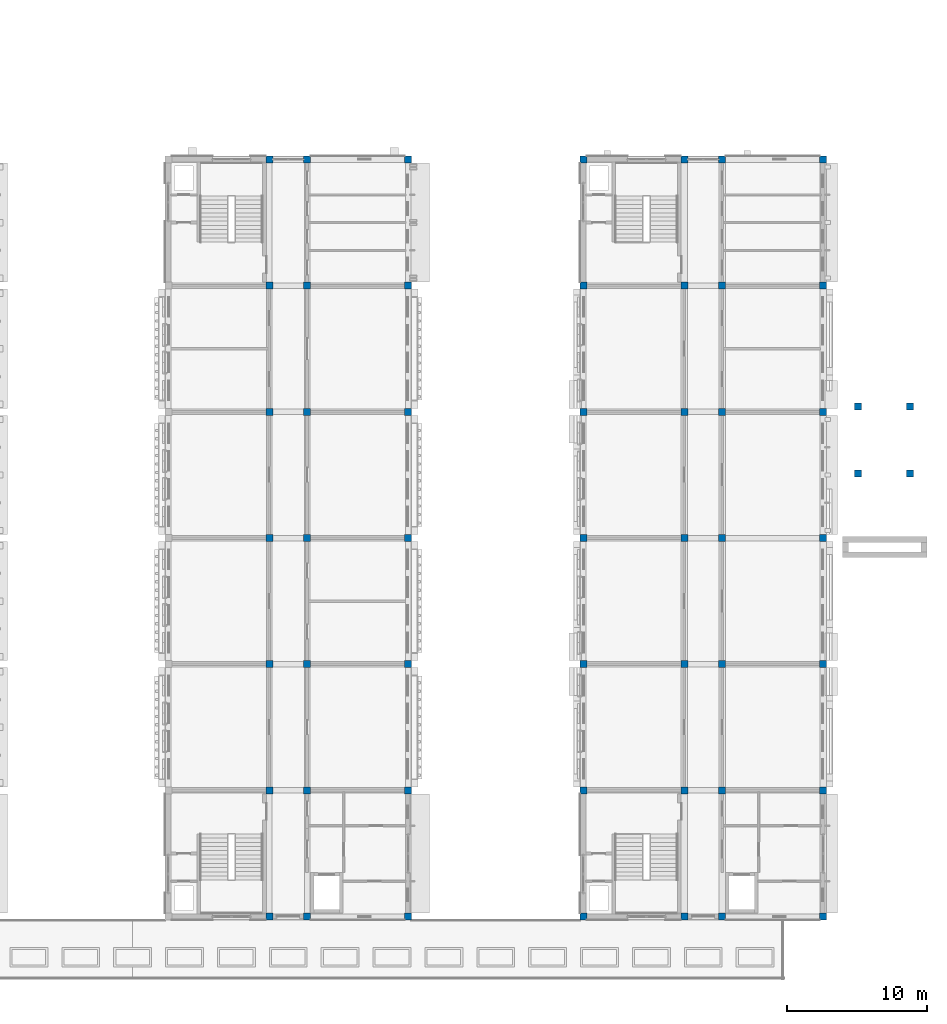
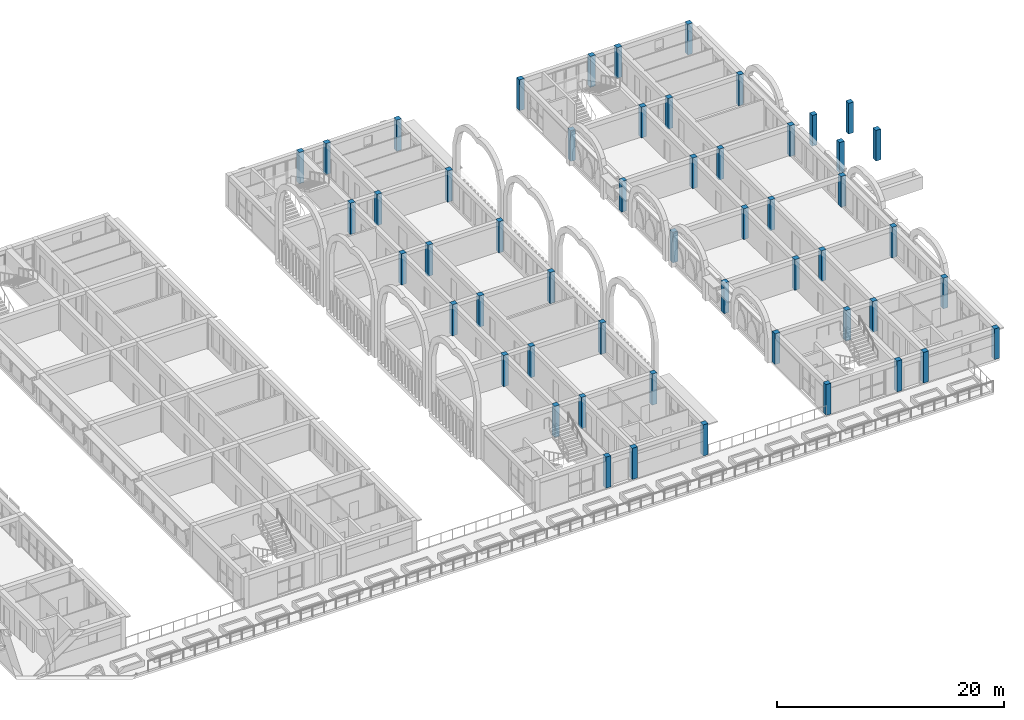
# One storey, part 6 of 82: 53 columns.
"""IFC4 building model written with IfcOpenShell, lengths in metres."""

import ifcopenshell
import ifcopenshell.guid

model = None  # the IFC model being written
_history = None  # IfcOwnerHistory: only IFC2X3 demands one
_inside = {}  # id of a spatial element -> (the spatial element, [elements in it])
_under = {}  # id of a project, library or spatial element -> (it, [spatial elements below it])
_declared = {}  # id of a project -> (the project, [libraries it declares])
_typed = {}  # id of a type object -> (the type object, [elements of that type])
_made_of = {}  # id of a material, layer set ... -> (it, [elements and type objects made of it])


def new_model(schema):
    """Start an empty IFC model of exactly this schema.

    Asked for "IFC4X3", IfcOpenShell would pick the latest addendum, in which some entities
    have other attributes; the version numbers below select the first issue.
    IFC2X3 requires an IfcOwnerHistory on every rooted entity: one is made here for all.
    """
    global model, _history
    if schema == "IFC4X3":
        model = ifcopenshell.file(schema_version=(4, 3, 0, 0))
    else:
        model = ifcopenshell.file(schema=schema)
    _inside.clear()
    _under.clear()
    _declared.clear()
    _typed.clear()
    _made_of.clear()
    _history = None
    if model.schema == "IFC2X3":
        org = make("IfcOrganization", Name="unknown")
        user = make(
            "IfcPersonAndOrganization",
            ThePerson=make("IfcPerson", FamilyName="unknown"),
            TheOrganization=org,
        )
        app = make(
            "IfcApplication",
            ApplicationDeveloper=org,
            Version="unknown",
            ApplicationFullName="unknown",
            ApplicationIdentifier="unknown",
        )
        _history = make(
            "IfcOwnerHistory",
            OwningUser=user,
            OwningApplication=app,
            ChangeAction="ADDED",
            CreationDate=0,
        )
    return model


def make(cls, **values):
    """One entity of the class cls with the attributes given. An attribute that is None is left unset."""
    return model.create_entity(
        cls, **{name: value for name, value in values.items() if value is not None}
    )


def rooted(cls, **values):
    """An entity with a GlobalId (a new one), such as an element, a storey or a relation."""
    return make(cls, GlobalId=ifcopenshell.guid.new(), OwnerHistory=_history, **values)


def si_unit(unit_type, name, prefix=None):
    """IfcSIUnit, for example si_unit("LENGTHUNIT", "METRE", prefix="MILLI")."""
    return make("IfcSIUnit", UnitType=unit_type, Prefix=prefix, Name=name)


def assignment(units):
    """IfcUnitAssignment: the units of a project."""
    return None if units is None else make("IfcUnitAssignment", Units=units)


def point(xyz):
    """IfcCartesianPoint."""
    return None if xyz is None else make("IfcCartesianPoint", Coordinates=xyz)


def direction(xyz):
    """IfcDirection."""
    return None if xyz is None else make("IfcDirection", DirectionRatios=xyz)


def frame(location, z_axis=None, x_axis=None):
    """IfcAxis2Placement3D, a coordinate frame: its origin and axes. An axis left out is left unset."""
    return make(
        "IfcAxis2Placement3D",
        Location=point(location),
        Axis=direction(z_axis),
        RefDirection=direction(x_axis),
    )


def frame_2d(location, x_axis=None):
    """IfcAxis2Placement2D, a coordinate frame in the plane: its origin and x axis."""
    return make(
        "IfcAxis2Placement2D", Location=point(location), RefDirection=direction(x_axis)
    )


def origin():
    """The frame at (0, 0, 0) with its axes left unset."""
    return frame((0.0, 0.0, 0.0))


def origin_2d():
    """The frame at (0, 0) in the plane with its x axis left unset."""
    return frame_2d((0.0, 0.0))


def place(relative_to, where):
    """IfcLocalPlacement: puts the frame where relative to a parent placement (None: the world)."""
    return make(
        "IfcLocalPlacement", PlacementRelTo=relative_to, RelativePlacement=where
    )


def context(
    kind, dimensions, precision=None, world=None, true_north=None, identifier=None
):
    """IfcGeometricRepresentationContext, for example the 3D "Model" context."""
    return make(
        "IfcGeometricRepresentationContext",
        ContextIdentifier=identifier,
        ContextType=kind,
        CoordinateSpaceDimension=dimensions,
        Precision=precision,
        WorldCoordinateSystem=world,
        TrueNorth=true_north,
    )


def subcontext(parent, identifier, kind, view, scale=None):
    """IfcGeometricRepresentationSubContext, for example "Body" below "Model"."""
    return make(
        "IfcGeometricRepresentationSubContext",
        ContextIdentifier=identifier,
        ContextType=kind,
        ParentContext=parent,
        TargetScale=scale,
        TargetView=view,
    )


def project(units=None, contexts=None):
    """IfcProject with its units and contexts."""
    return rooted(
        "IfcProject",
        Name="project",
        RepresentationContexts=contexts,
        UnitsInContext=assignment(units),
    )


def spatial(cls, under=None, at=None, **own):
    """A site, building, storey or space (cls), placed at a placement, below another one or the project."""
    s = rooted(cls, ObjectPlacement=at, **own)
    if under is not None:
        _under.setdefault(under.id(), (under, []))[1].append(s)
    return s


def profile(cls, at=None, kind="AREA", **sizes):
    """A parametric profile (cls). Its sizes go by their IFC names, for example OverallWidth=200.0."""
    return make(cls, ProfileType=kind, Position=at, **sizes)


def rectangle(**sizes):
    """IfcRectangleProfileDef."""
    return profile("IfcRectangleProfileDef", **sizes)


def extrude(swept, where, along, depth):
    """IfcExtrudedAreaSolid: the profile swept, set in the frame where, extruded along a direction by depth."""
    return make(
        "IfcExtrudedAreaSolid",
        SweptArea=swept,
        Position=where,
        ExtrudedDirection=direction(along),
        Depth=depth,
    )


def shape(context_of_items, identifier, shape_type, items):
    """IfcShapeRepresentation: the items that make up one representation, for example the "Body"."""
    return make(
        "IfcShapeRepresentation",
        ContextOfItems=context_of_items,
        RepresentationIdentifier=identifier,
        RepresentationType=shape_type,
        Items=items,
    )


def material(Name=None, Category=None):
    """IfcMaterial."""
    return make("IfcMaterial", Name=Name, Category=Category)


def material_profile(
    of_material, cross_section, Name=None, Category=None, Priority=None
):
    """IfcMaterialProfile: a cross section and its material."""
    return make(
        "IfcMaterialProfile",
        Name=Name,
        Material=of_material,
        Profile=cross_section,
        Priority=Priority,
        Category=Category,
    )


def profile_set(profiles, Name=None, composite=None):
    """IfcMaterialProfileSet."""
    return make(
        "IfcMaterialProfileSet",
        Name=Name,
        MaterialProfiles=profiles,
        CompositeProfile=composite,
    )


def made_of(thing, what):
    """Note that an element or type object is made of a material, layer set ...; save() writes the relation."""
    if what is not None:
        _made_of.setdefault(what.id(), (what, []))[1].append(thing)
    return thing


def type_object(cls, material=None, **own):
    """A type object (cls), such as IfcWallType, which elements share."""
    return made_of(rooted(cls, **own), material)


def element(
    cls,
    number,
    at=None,
    inside=None,
    cuts=None,
    type_object=None,
    material=None,
    context=None,
    identifier="Body",
    shape_type=None,
    held_by="IfcProductDefinitionShape",
    body=None,
    shapes=None,
    **own,
):
    """One element of the class cls, such as IfcWall. Its Tag is "e" and its number.

    at: its placement. inside: the storey or other place that contains it. cuts: it is an
    opening in that element (IfcRelVoidsElement). A single representation is given by context,
    identifier, shape_type and body (its items); several are given by shapes. held_by: the class
    of the entity that holds the representations. save() writes the other relations.
    """
    e = rooted(cls, Tag="e%d" % number, ObjectPlacement=at, **own)
    if body is not None:
        shapes = [shape(context, identifier, shape_type, body)]
    if shapes is not None:
        e.Representation = make(held_by, Representations=shapes)
    if inside is not None:
        _inside.setdefault(inside.id(), (inside, []))[1].append(e)
    if cuts is not None:
        rooted(
            "IfcRelVoidsElement", RelatingBuildingElement=cuts, RelatedOpeningElement=e
        )
    if type_object is not None:
        _typed.setdefault(type_object.id(), (type_object, []))[1].append(e)
    return made_of(e, material)


def aggregate(whole, parts):
    """IfcRelAggregates: a whole, such as a stair, and the parts it consists of."""
    return rooted("IfcRelAggregates", RelatingObject=whole, RelatedObjects=parts)


def save(model, path):
    """Write the relations noted so far, then the file.

    IfcRelAggregates (storeys below a building ...), IfcRelContainedInSpatialStructure (elements
    in a storey), IfcRelDefinesByType, IfcRelAssociatesMaterial and IfcRelDeclares: one each for
    every whole, place, type object, material and project.
    """
    for whole, parts in _under.values():
        aggregate(whole, parts)
    for where, things in _inside.values():
        rooted(
            "IfcRelContainedInSpatialStructure",
            RelatedElements=things,
            RelatingStructure=where,
        )
    for kind, things in _typed.values():
        rooted("IfcRelDefinesByType", RelatedObjects=things, RelatingType=kind)
    for what, things in _made_of.values():
        rooted("IfcRelAssociatesMaterial", RelatedObjects=things, RelatingMaterial=what)
    for by, libraries in _declared.values():
        rooted("IfcRelDeclares", RelatingContext=by, RelatedDefinitions=libraries)
    model.write(path)


model = new_model("IFC4")

# Units and contexts
model_context = context("Model", 3, precision=1e-05, world=origin(), true_north=direction((0.0, 1.0)))
body_context = subcontext(model_context, "Body", "Model", "MODEL_VIEW")
ifc_project = project(units=[si_unit("LENGTHUNIT", "METRE"), si_unit("AREAUNIT", "SQUARE_METRE"), si_unit("VOLUMEUNIT", "CUBIC_METRE"), si_unit("PLANEANGLEUNIT", "RADIAN"), si_unit("MASSUNIT", "GRAM", prefix="KILO")], contexts=[model_context])

# Site, building, storey
site_placement = place(None, origin())
site = spatial("IfcSite", under=ifc_project, at=site_placement, CompositionType="ELEMENT")
building_placement = place(site_placement, origin())
building = spatial("IfcBuilding", under=site, at=building_placement, Name="Elbe Cascade School", CompositionType="ELEMENT")
storey_placement = place(building_placement, frame((0.0, 0.0, 4.5)))
storey = spatial("IfcBuildingStorey", under=building, at=storey_placement, Name="L01", CompositionType="ELEMENT", Elevation=4.5)

# Columns
ifc_material = material(Name="Concrete C30/37", Category="concrete")
ifc_material_profile = material_profile(ifc_material, rectangle(XDim=0.5, YDim=0.5, at=origin_2d()), Name="RC 500x500")
ifc_profile_set = profile_set([ifc_material_profile], Name="Concrete C30/37")
column_type = type_object("IfcColumnType", Name="RC 500x500 column", PredefinedType="COLUMN", material=ifc_profile_set)
for number, where, z_axis, x_axis, name in (
    (1, (135.39990234375, 6.0, 0.0), (0.0, 0.0, 1.0), (1.0, 0.0, 0.0), "RC 500x500 column C1"),
    (2, (135.39990234375, 15.0, 0.0), (0.0, 0.0, 1.0), (1.0, 0.0, 0.0), "RC 500x500 column C1"),
    (3, (135.39990234375, 24.0, 0.0), (0.0, 0.0, 1.0), (1.0, 0.0, 0.0), "RC 500x500 column C1"),
    (4, (135.39990234375, 33.0, 0.0), (0.0, 0.0, 1.0), (1.0, 0.0, 0.0), "RC 500x500 column C1"),
    (5, (135.39990234375, 42.0, 0.0), (0.0, 0.0, 1.0), (1.0, 0.0, 0.0), "RC 500x500 column C1"),
    (6, (135.39990234375, 51.0, 0.0), (0.0, 0.0, 1.0), (1.0, 0.0, 0.0), "RC 500x500 column C1"),
    (7, (135.39990234375, 60.0, 0.0), (0.0, 0.0, 1.0), (1.0, 0.0, 0.0), "RC 500x500 column C1"),
    (8, (138.10009765625, 6.0, 0.0), (0.0, 0.0, 1.0), (1.0, 0.0, 0.0), "RC 500x500 column C1"),
    (9, (138.10009765625, 15.0, 0.0), (0.0, 0.0, 1.0), (1.0, 0.0, 0.0), "RC 500x500 column C1"),
    (10, (138.10009765625, 24.0, 0.0), (0.0, 0.0, 1.0), (1.0, 0.0, 0.0), "RC 500x500 column C1"),
    (11, (138.10009765625, 33.0, 0.0), (0.0, 0.0, 1.0), (1.0, 0.0, 0.0), "RC 500x500 column C1"),
    (12, (138.10009765625, 42.0, 0.0), (0.0, 0.0, 1.0), (1.0, 0.0, 0.0), "RC 500x500 column C1"),
    (13, (138.10009765625, 51.0, 0.0), (0.0, 0.0, 1.0), (1.0, 0.0, 0.0), "RC 500x500 column C1"),
    (14, (138.10009765625, 60.0, 0.0), (0.0, 0.0, 1.0), (1.0, 0.0, 0.0), "RC 500x500 column C1"),
    (15, (145.300048828125, 6.0, 0.0), (0.0, 0.0, 1.0), (1.0, 0.0, 0.0), "RC 500x500 column C1"),
    (16, (145.300048828125, 15.0, 0.0), (0.0, 0.0, 1.0), (1.0, 0.0, 0.0), "RC 500x500 column C1"),
    (17, (145.300048828125, 24.0, 0.0), (0.0, 0.0, 1.0), (1.0, 0.0, 0.0), "RC 500x500 column C1"),
    (18, (145.300048828125, 33.0, 0.0), (0.0, 0.0, 1.0), (1.0, 0.0, 0.0), "RC 500x500 column C1"),
    (19, (145.300048828125, 42.0, 0.0), (0.0, 0.0, 1.0), (1.0, 0.0, 0.0), "RC 500x500 column C1"),
    (20, (145.300048828125, 51.0, 0.0), (0.0, 0.0, 1.0), (1.0, 0.0, 0.0), "RC 500x500 column C1"),
    (21, (145.300048828125, 60.0, 0.0), (0.0, 0.0, 1.0), (1.0, 0.0, 0.0), "RC 500x500 column C1"),
):
    element("IfcColumn", number, at=place(storey_placement, frame(where, z_axis=z_axis, x_axis=x_axis)), inside=storey, type_object=column_type, Name=name, PredefinedType="COLUMN", context=body_context, shape_type="SweptSolid", body=[
        extrude(rectangle(XDim=0.5, YDim=0.5, at=origin_2d()), origin(), (0.0, 0.0, 1.0), 3.35009765625),
    ])
for number, where, z_axis, x_axis, name in (
    (22, (157.800048828125, 6.0, 0.0), (0.0, 0.0, 1.0), (1.0, 0.0, 0.0), "RC 500x500 column C1"),
    (23, (157.800048828125, 15.0, 0.0), (0.0, 0.0, 1.0), (1.0, 0.0, 0.0), "RC 500x500 column C1"),
    (24, (157.800048828125, 24.0, 0.0), (0.0, 0.0, 1.0), (1.0, 0.0, 0.0), "RC 500x500 column C1"),
    (25, (157.800048828125, 33.0, 0.0), (0.0, 0.0, 1.0), (1.0, 0.0, 0.0), "RC 500x500 column C1"),
    (26, (157.800048828125, 42.0, 0.0), (0.0, 0.0, 1.0), (1.0, 0.0, 0.0), "RC 500x500 column C1"),
    (27, (157.800048828125, 51.0, 0.0), (0.0, 0.0, 1.0), (1.0, 0.0, 0.0), "RC 500x500 column C1"),
    (28, (157.800048828125, 60.0, 0.0), (0.0, 0.0, 1.0), (1.0, 0.0, 0.0), "RC 500x500 column C1"),
    (29, (165.0, 6.0, 0.0), (0.0, 0.0, 1.0), (1.0, 0.0, 0.0), "RC 500x500 column C1"),
    (30, (165.0, 15.0, 0.0), (0.0, 0.0, 1.0), (1.0, 0.0, 0.0), "RC 500x500 column C1"),
    (31, (165.0, 24.0, 0.0), (0.0, 0.0, 1.0), (1.0, 0.0, 0.0), "RC 500x500 column C1"),
    (32, (165.0, 33.0, 0.0), (0.0, 0.0, 1.0), (1.0, 0.0, 0.0), "RC 500x500 column C1"),
    (33, (165.0, 42.0, 0.0), (0.0, 0.0, 1.0), (1.0, 0.0, 0.0), "RC 500x500 column C1"),
    (34, (165.0, 51.0, 0.0), (0.0, 0.0, 1.0), (1.0, 0.0, 0.0), "RC 500x500 column C1"),
    (35, (165.0, 60.0, 0.0), (0.0, 0.0, 1.0), (1.0, 0.0, 0.0), "RC 500x500 column C1"),
    (36, (167.699951171875, 6.0, 0.0), (0.0, 0.0, 1.0), (1.0, 0.0, 0.0), "RC 500x500 column C1"),
    (37, (167.699951171875, 15.0, 0.0), (0.0, 0.0, 1.0), (1.0, 0.0, 0.0), "RC 500x500 column C1"),
    (38, (167.699951171875, 24.0, 0.0), (0.0, 0.0, 1.0), (1.0, 0.0, 0.0), "RC 500x500 column C1"),
    (39, (167.699951171875, 33.0, 0.0), (0.0, 0.0, 1.0), (1.0, 0.0, 0.0), "RC 500x500 column C1"),
    (40, (167.699951171875, 42.0, 0.0), (0.0, 0.0, 1.0), (1.0, 0.0, 0.0), "RC 500x500 column C1"),
    (41, (167.699951171875, 51.0, 0.0), (0.0, 0.0, 1.0), (1.0, 0.0, 0.0), "RC 500x500 column C1"),
    (42, (167.699951171875, 60.0, 0.0), (0.0, 0.0, 1.0), (1.0, 0.0, 0.0), "RC 500x500 column C1"),
    (43, (174.89990234375, 6.0, 0.0), (0.0, 0.0, 1.0), (1.0, 0.0, 0.0), "RC 500x500 column C1"),
    (44, (174.89990234375, 15.0, 0.0), (0.0, 0.0, 1.0), (1.0, 0.0, 0.0), "RC 500x500 column C1"),
    (45, (174.89990234375, 24.0, 0.0), (0.0, 0.0, 1.0), (1.0, 0.0, 0.0), "RC 500x500 column C1"),
    (46, (174.89990234375, 33.0, 0.0), (0.0, 0.0, 1.0), (1.0, 0.0, 0.0), "RC 500x500 column C1"),
    (47, (174.89990234375, 42.0, 0.0), (0.0, 0.0, 1.0), (1.0, 0.0, 0.0), "RC 500x500 column C1"),
    (48, (174.89990234375, 51.0, 0.0), (0.0, 0.0, 1.0), (1.0, 0.0, 0.0), "RC 500x500 column C1"),
    (49, (174.89990234375, 60.0, 0.0), (0.0, 0.0, 1.0), (1.0, 0.0, 0.0), "RC 500x500 column C1"),
    (50, (177.39990234375, 37.60009765625, 0.0), (0.0, 0.0, 1.0), (1.0, 0.0, 0.0), "RC 500x500 column C1"),
    (51, (177.39990234375, 42.39990234375, 0.0), (0.0, 0.0, 1.0), (1.0, 0.0, 0.0), "RC 500x500 column C1"),
    (52, (181.10009765625, 37.60009765625, 0.0), (0.0, 0.0, 1.0), (1.0, 0.0, 0.0), "RC 500x500 column C1"),
    (53, (181.10009765625, 42.39990234375, 0.0), (0.0, 0.0, 1.0), (1.0, 0.0, 0.0), "RC 500x500 column C1"),
):
    element("IfcColumn", number, at=place(storey_placement, frame(where, z_axis=z_axis, x_axis=x_axis)), inside=storey, type_object=column_type, Name=name, PredefinedType="COLUMN", context=body_context, shape_type="SweptSolid", body=[
        extrude(rectangle(XDim=0.5, YDim=0.5, at=origin_2d()), origin(), (0.0, 0.0, 1.0), 3.300048828125),
    ])

save(model, "model.ifc")
